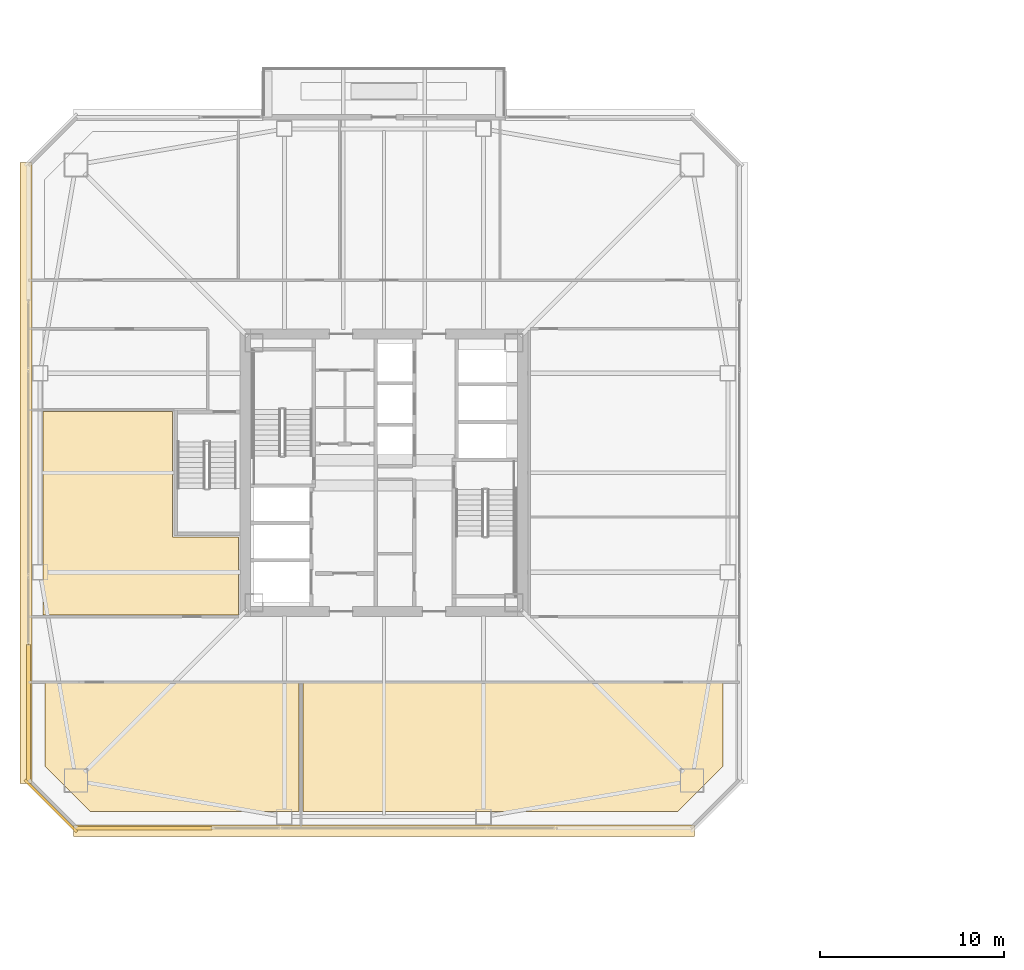
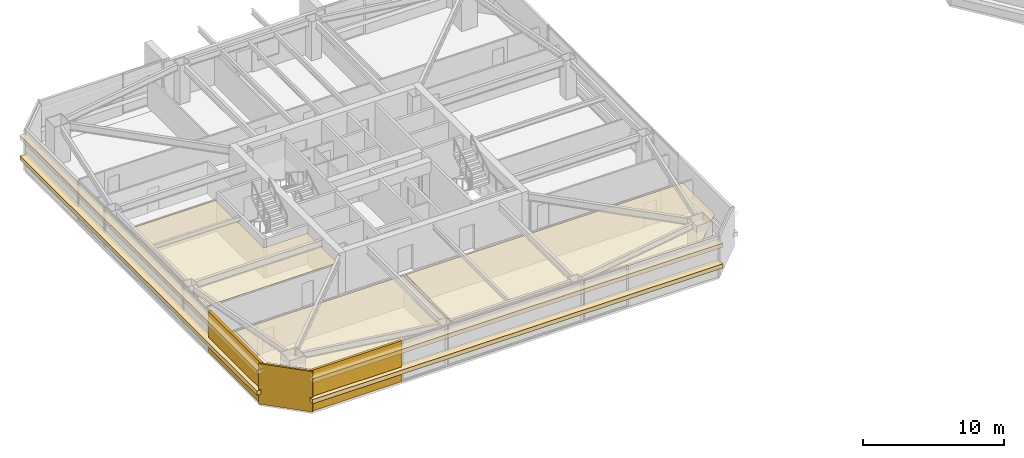
# One storey, part 35 of 41: 10 coverings.
"""IFC4 building model written with IfcOpenShell, lengths in metres."""

from ifc_helpers import new_model, si_unit, direction, frame, origin, origin_2d, place, context, subcontext, project, spatial, polyline, rectangle, outline, extrude, material, layer, layer_set, type_object, element, save


model = new_model("IFC4")

# Units and contexts
model_context = context("Model", 3, precision=1e-05, world=origin(), true_north=direction((0.0, 1.0)))
body_context = subcontext(model_context, "Body", "Model", "MODEL_VIEW")
ifc_project = project(units=[si_unit("LENGTHUNIT", "METRE"), si_unit("AREAUNIT", "SQUARE_METRE"), si_unit("VOLUMEUNIT", "CUBIC_METRE"), si_unit("PLANEANGLEUNIT", "RADIAN"), si_unit("MASSUNIT", "GRAM", prefix="KILO")], contexts=[model_context])

# Site, building, storey
site_placement = place(None, origin())
site = spatial("IfcSite", under=ifc_project, at=site_placement, CompositionType="ELEMENT")
building_placement = place(site_placement, origin())
building = spatial("IfcBuilding", under=site, at=building_placement, Name="Tashvorn Skyway Center", CompositionType="ELEMENT")
storey_placement = place(building_placement, frame((0.0, 0.0, 146.35009765625)))
storey = spatial("IfcBuildingStorey", under=building, at=storey_placement, Name="L39", CompositionType="ELEMENT", Elevation=146.35009765625)

# Coverings
ifc_material_1 = material(Name="Precast concrete C40/50", Category="concrete")
ifc_layer_1 = layer(ifc_material_1, 0.199951171875)
ifc_layer_set_1 = layer_set([ifc_layer_1], Name="Precast concrete C40/50")
covering_type_1 = type_object("IfcCoveringType", Name="COV-BRACE-CLAD", PredefinedType="CLADDING", material=ifc_layer_set_1)
for number, where, z_axis, x_axis, name in (
    (1, (28.948974609375, 12.719970703125, 0.0), (0.0, 0.0, 1.0), (-1.0, 0.0, 0.0), "Tower 1 L39 South Unitised Curtain Wall Mega-Brace Cladding Band 2"),
    (2, (22.719970703125, 18.948974609375, 0.0), (0.0, 0.0, 1.0), (0.0, 1.0, 0.0), "Tower 1 L39 West Unitised Curtain Wall Mega-Brace Cladding Band 1"),
):
    element("IfcCovering", number, at=place(storey_placement, frame(where, z_axis=z_axis, x_axis=x_axis)), inside=storey, type_object=covering_type_1, Name=name, PredefinedType="CLADDING", context=body_context, shape_type="SweptSolid", body=[
        extrude(rectangle(XDim=7.457763671875, YDim=0.199951171875, at=origin_2d()), origin(), (0.0, 0.0, 1.0), 3.550048828125),
    ])
ifc_material_2 = material(Name="Mineral-fibre acoustic ceiling tile on suspended grid")
ifc_layer_2 = layer(ifc_material_2, 0.02001953125)
ifc_layer_set_2 = layer_set([ifc_layer_2], Name="Mineral-fibre acoustic ceiling tile on suspended grid")
covering_type_2 = type_object("IfcCoveringType", Name="COV-CEIL-20", PredefinedType="CEILING", material=ifc_layer_set_2)
covering_1_placement = place(storey_placement, frame((0.0, 0.0, 2.702880859375)))
element("IfcCovering", 3, at=covering_1_placement, inside=storey, type_object=covering_type_2, Name="Tower 1 L39 Gallery Showroom Acoustic Ceiling", PredefinedType="CEILING", context=body_context, shape_type="SweptSolid", body=[
    extrude(outline(polyline([(23.6201171875, 20.590087890625), (37.3798828125, 20.590087890625), (37.3798828125, 13.6201171875), (26.080078125, 13.6201171875), (23.6201171875, 16.080078125), (23.6201171875, 20.590087890625)])), origin(), (0.0, 0.0, 1.0), 0.02001953125),
])
covering_2_placement = place(storey_placement, frame((0.0, 0.0, 2.702880859375)))
element("IfcCovering", 4, at=covering_2_placement, inside=storey, type_object=covering_type_2, Name="Tower 1 L39 Catering Pantry Acoustic Ceiling", PredefinedType="CEILING", context=body_context, shape_type="SweptSolid", body=[
    extrude(outline(polyline([(37.6201171875, 13.6201171875), (37.6201171875, 20.590087890625), (60.3798828125, 20.590087890625), (60.3798828125, 16.080078125), (57.919921875, 13.6201171875), (37.6201171875, 13.6201171875)])), origin(), (0.0, 0.0, 1.0), 0.02001953125),
])
covering_3_placement = place(storey_placement, frame((0.0, 0.0, 2.702880859375)))
element("IfcCovering", 5, at=covering_3_placement, inside=storey, type_object=covering_type_2, Name="Tower 1 L39 Public Restroom Acoustic Ceiling", PredefinedType="CEILING", context=body_context, shape_type="SweptSolid", body=[
    extrude(outline(polyline([(34.1201171875, 24.280029296875), (23.5, 24.280029296875), (23.5, 28.52001953125), (23.5, 35.320068359375), (30.52001953125, 35.320068359375), (30.52001953125, 28.52001953125), (34.1201171875, 28.52001953125), (34.1201171875, 24.280029296875)])), origin(), (0.0, 0.0, 1.0), 0.02001953125),
])
ifc_material_3 = material(Name="Perforated ceramic-coated bronze aluminium solar screen", Category="aluminium")
ifc_layer_3 = layer(ifc_material_3, 0.85009765625)
ifc_layer_set_3 = layer_set([ifc_layer_3], Name="Perforated ceramic-coated bronze aluminium solar screen")
covering_type_3 = type_object("IfcCoveringType", Name="COV-SOLAR-BAND", PredefinedType="CLADDING", material=ifc_layer_set_3)
for number, where, z_axis, x_axis, name in (
    (6, (42.0, 12.580078125, 0.919921875), (0.0, 0.0, 1.0), (-1.0, 0.0, 0.0), "L39 Perforated Ceramic-Metal Solar Screen Louvre Band South 1"),
    (7, (42.0, 12.580078125, 2.7197265625), (0.0, 0.0, 1.0), (-1.0, 0.0, 0.0), "L39 Perforated Ceramic-Metal Solar Screen Louvre Band South 2"),
    (8, (22.580078125, 32.0, 0.919921875), (0.0, 0.0, 1.0), (0.0, 1.0, 0.0), "L39 Perforated Ceramic-Metal Solar Screen Louvre Band West 1"),
    (9, (22.580078125, 32.0, 2.7197265625), (0.0, 0.0, 1.0), (0.0, 1.0, 0.0), "L39 Perforated Ceramic-Metal Solar Screen Louvre Band West 2"),
):
    element("IfcCovering", number, at=place(storey_placement, frame(where, z_axis=z_axis, x_axis=x_axis)), inside=storey, type_object=covering_type_3, Name=name, PredefinedType="CLADDING", context=body_context, shape_type="SweptSolid", body=[
        extrude(rectangle(XDim=33.679931640625, YDim=0.639892578125, at=origin_2d()), origin(), (0.0, 0.0, 1.0), 0.360107421875),
    ])
ifc_layer_4 = layer(ifc_material_1, 0.35009765625)
ifc_layer_set_4 = layer_set([ifc_layer_4], Name="Precast concrete C40/50")
covering_type_4 = type_object("IfcCoveringType", Name="COV-STONE-TRIM", PredefinedType="CLADDING", material=ifc_layer_set_4)
covering_4_placement = place(storey_placement, frame((23.929931640625, 13.929931640625, 0.02001953125), z_axis=(0.0, 0.0, 1.0), x_axis=(-0.707106781187, 0.707106781187, 0.0)))
element("IfcCovering", 10, at=covering_4_placement, inside=storey, type_object=covering_type_4, Name="Tower 1 L39 SW Mojave Limestone Corner Quoin", PredefinedType="CLADDING", context=body_context, shape_type="SweptSolid", body=[
    extrude(rectangle(XDim=3.978515625, YDim=0.139892578125, at=origin_2d()), origin(), (0.0, 0.0, 1.0), 3.510009765625),
])

save(model, "model.ifc")
